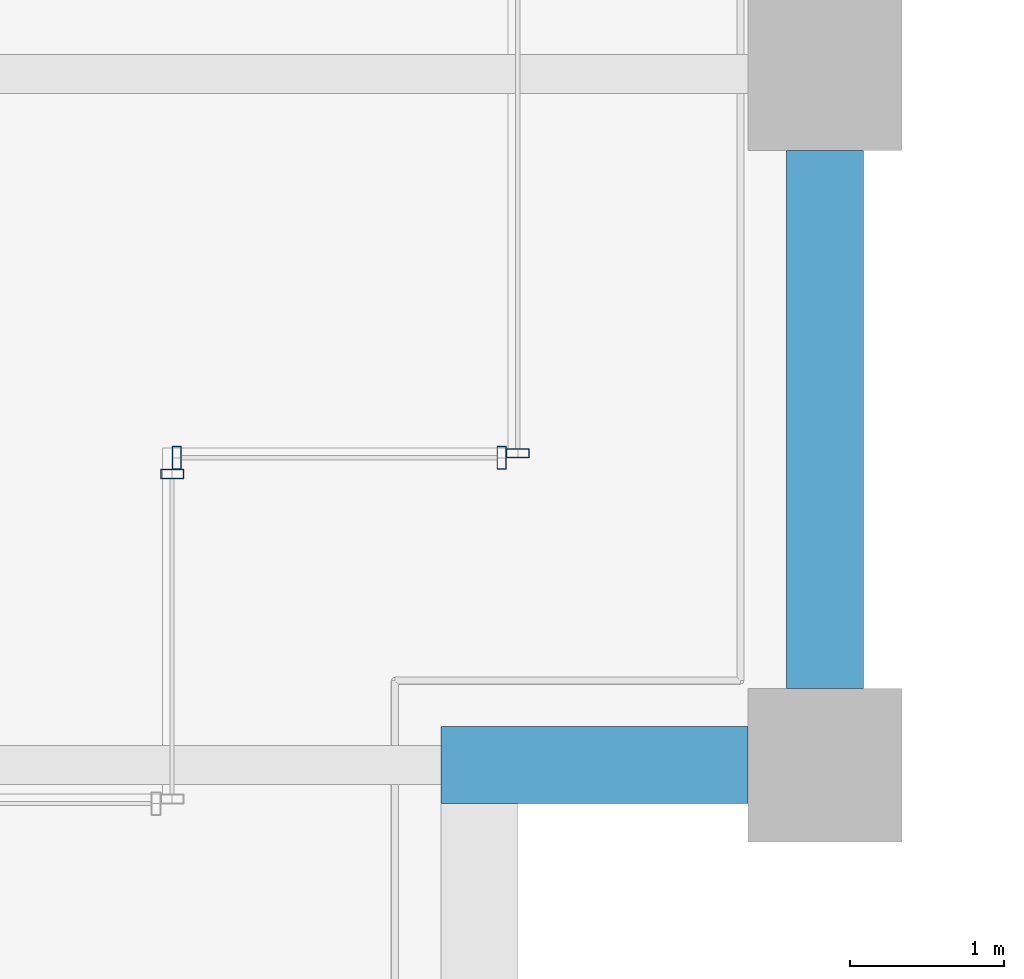
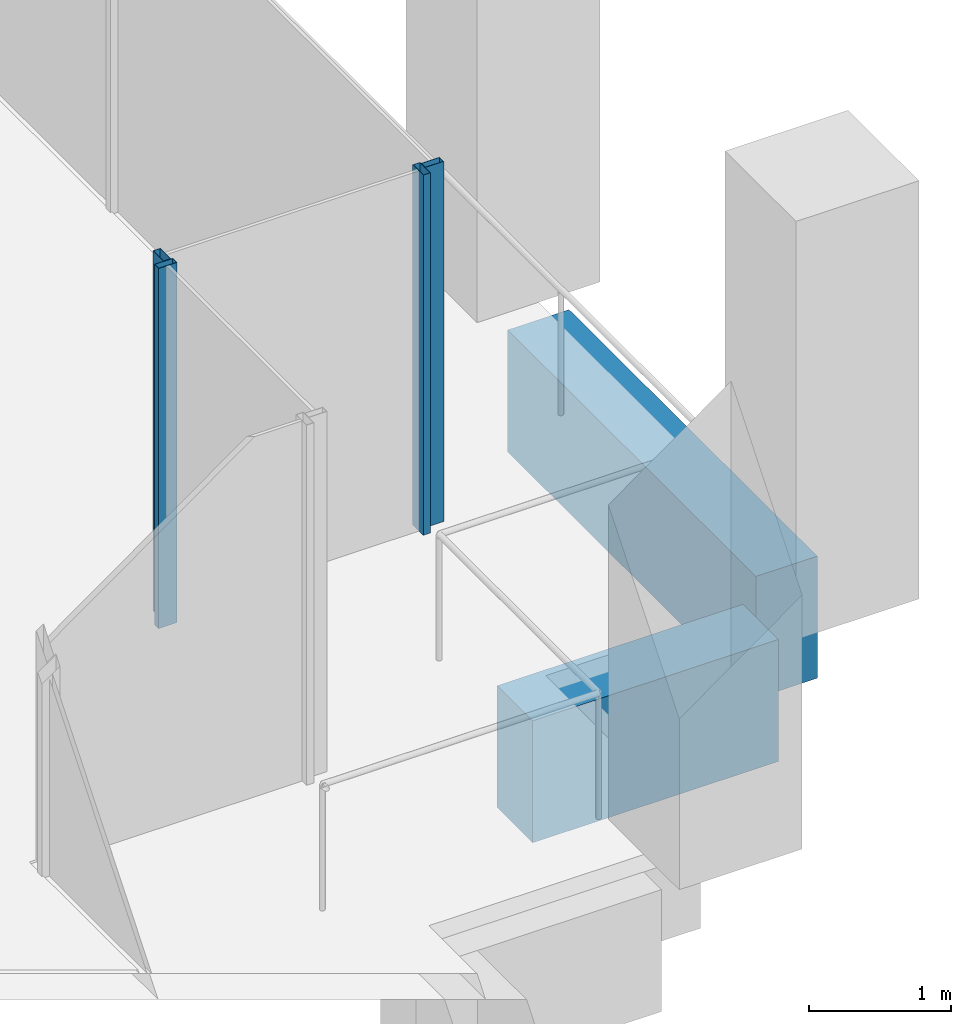
# One storey, part 13 of 46: 4 members, 2 beams, 3 elements without a shape of their own.
"""IFC4 building model written with IfcOpenShell, lengths in metres."""

from ifc_helpers import new_model, si_unit, direction, frame, origin, origin_2d, place, context, subcontext, project, spatial, rectangle, hollow_rectangle, extrude, material, material_profile, profile_set, type_object, element, aggregate, save


model = new_model("IFC4")

# Units and contexts
model_context = context("Model", 3, precision=1e-05, world=origin(), true_north=direction((0.0, 1.0)))
body_context = subcontext(model_context, "Body", "Model", "MODEL_VIEW")
ifc_project = project(units=[si_unit("LENGTHUNIT", "METRE"), si_unit("AREAUNIT", "SQUARE_METRE"), si_unit("VOLUMEUNIT", "CUBIC_METRE"), si_unit("PLANEANGLEUNIT", "RADIAN"), si_unit("MASSUNIT", "GRAM", prefix="KILO")], contexts=[model_context])

# Site, building, storey
site_placement = place(None, origin())
site = spatial("IfcSite", under=ifc_project, at=site_placement, CompositionType="ELEMENT")
building_placement = place(site_placement, origin())
building = spatial("IfcBuilding", under=site, at=building_placement, Name="Altepetl Exchange Towers", CompositionType="ELEMENT")
storey_placement = place(building_placement, frame((0.0, 0.0, 128.0)))
storey = spatial("IfcBuildingStorey", under=building, at=storey_placement, Name="L31", CompositionType="ELEMENT", Elevation=128.0)

# Curtain wall, member
ifc_material_1 = material(Name="Aluminium 6063-T6 glazing", Category="aluminium")
curtain_wall_type = type_object("IfcCurtainWallType", Name="Loggia glazing system", PredefinedType="NOTDEFINED", material=ifc_material_1)
curtain_wall_1_placement = place(storey_placement, origin())
curtain_wall_1 = element("IfcCurtainWall", 1, at=curtain_wall_1_placement, inside=storey, type_object=curtain_wall_type, Name="CW1 run", PredefinedType="NOTDEFINED")
ifc_material_2 = material(Name="Aluminium 6063-T6", Category="aluminium")
ifc_material_profile_1 = material_profile(ifc_material_2, hollow_rectangle(XDim=0.06005859375, YDim=0.14990234375, WallThickness=0.0029296875, at=origin_2d()), Name="Mullion 60x150 aluminium")
ifc_profile_set_1 = profile_set([ifc_material_profile_1], Name="Aluminium 6063-T6")
member_type = type_object("IfcMemberType", Name="Mullion 60x150 aluminium", PredefinedType="MULLION", material=ifc_profile_set_1)
member_1_placement = place(storey_placement, frame((67.75, 33.39501953125, 0.0), z_axis=(0.0, 0.0, 1.0), x_axis=(0.0, 1.0, 0.0)))
member_1 = element("IfcMember", 2, at=member_1_placement, type_object=member_type, Name="MU1 mullion", PredefinedType="MULLION", context=body_context, shape_type="SweptSolid", body=[
    extrude(hollow_rectangle(XDim=0.06005859375, YDim=0.14990234375, WallThickness=0.0029296875, at=origin_2d()), origin(), (0.0, 0.0, 1.0), 3.10009765625),
])
aggregate(curtain_wall_1, [member_1])

# Curtain wall, members
curtain_wall_2_placement = place(storey_placement, origin())
curtain_wall_2 = element("IfcCurtainWall", 3, at=curtain_wall_2_placement, inside=storey, type_object=curtain_wall_type, Name="CW1 run", PredefinedType="NOTDEFINED")
member_2_placement = place(storey_placement, frame((67.780029296875, 33.5, 0.0)))
member_2 = element("IfcMember", 4, at=member_2_placement, type_object=member_type, Name="MU1 mullion", PredefinedType="MULLION", context=body_context, shape_type="SweptSolid", body=[
    extrude(hollow_rectangle(XDim=0.06005859375, YDim=0.14990234375, WallThickness=0.0029296875, at=origin_2d()), origin(), (0.0, 0.0, 1.0), 3.10009765625),
])
member_3_placement = place(storey_placement, frame((69.89501953125, 33.5, 0.0)))
member_3 = element("IfcMember", 5, at=member_3_placement, type_object=member_type, Name="MU1 mullion", PredefinedType="MULLION", context=body_context, shape_type="SweptSolid", body=[
    extrude(hollow_rectangle(XDim=0.06005859375, YDim=0.14990234375, WallThickness=0.0029296875, at=origin_2d()), origin(), (0.0, 0.0, 1.0), 3.10009765625),
])
aggregate(curtain_wall_2, [member_2, member_3])

# Curtain wall, member
curtain_wall_3_placement = place(storey_placement, origin())
curtain_wall_3 = element("IfcCurtainWall", 6, at=curtain_wall_3_placement, inside=storey, type_object=curtain_wall_type, Name="CW1 run", PredefinedType="NOTDEFINED")
member_4_placement = place(storey_placement, frame((70.0, 33.530029296875, 0.0), z_axis=(0.0, 0.0, 1.0), x_axis=(0.0, 1.0, 0.0)))
member_4 = element("IfcMember", 7, at=member_4_placement, type_object=member_type, Name="MU1 mullion", PredefinedType="MULLION", context=body_context, shape_type="SweptSolid", body=[
    extrude(hollow_rectangle(XDim=0.06005859375, YDim=0.14990234375, WallThickness=0.0029296875, at=origin_2d()), origin(), (0.0, 0.0, 1.0), 3.10009765625),
])
aggregate(curtain_wall_3, [member_4])

# Beams
ifc_material_3 = material(Name="Concrete C50/60 precast with cantera amarilla facing", Category="concrete")
ifc_material_profile_2 = material_profile(ifc_material_3, rectangle(XDim=0.5, YDim=1.050048828125, at=origin_2d()), Name="500 x 1050")
ifc_profile_set_2 = profile_set([ifc_material_profile_2], Name="Concrete C50/60 precast with cantera amarilla facing")
beam_type = type_object("IfcBeamType", Name="Spandrel beam 500x1050 cantera amarilla", PredefinedType="SPANDREL", material=ifc_profile_set_2)
beam_1_placement = place(storey_placement, frame((69.5, 31.5, -0.675048828125), z_axis=(1.0, 0.0, 0.0), x_axis=(0.0, 1.0, 0.0)))
element("IfcBeam", 8, at=beam_1_placement, inside=storey, type_object=beam_type, Name="sp:A:L31:011", PredefinedType="SPANDREL", context=body_context, shape_type="SweptSolid", body=[
    extrude(rectangle(XDim=0.5, YDim=1.050048828125, at=origin_2d()), origin(), (0.0, 0.0, 1.0), 2.0),
])
beam_2_placement = place(storey_placement, frame((72.0, 32.0, -0.675048828125), z_axis=(0.0, 1.0, 0.0), x_axis=(-1.0, 0.0, 0.0)))
element("IfcBeam", 9, at=beam_2_placement, inside=storey, type_object=beam_type, Name="sp:A:L31:012", PredefinedType="SPANDREL", context=body_context, shape_type="SweptSolid", body=[
    extrude(rectangle(XDim=0.5, YDim=1.050048828125, at=origin_2d()), origin(), (0.0, 0.0, 1.0), 3.5),
])

save(model, "model.ifc")
